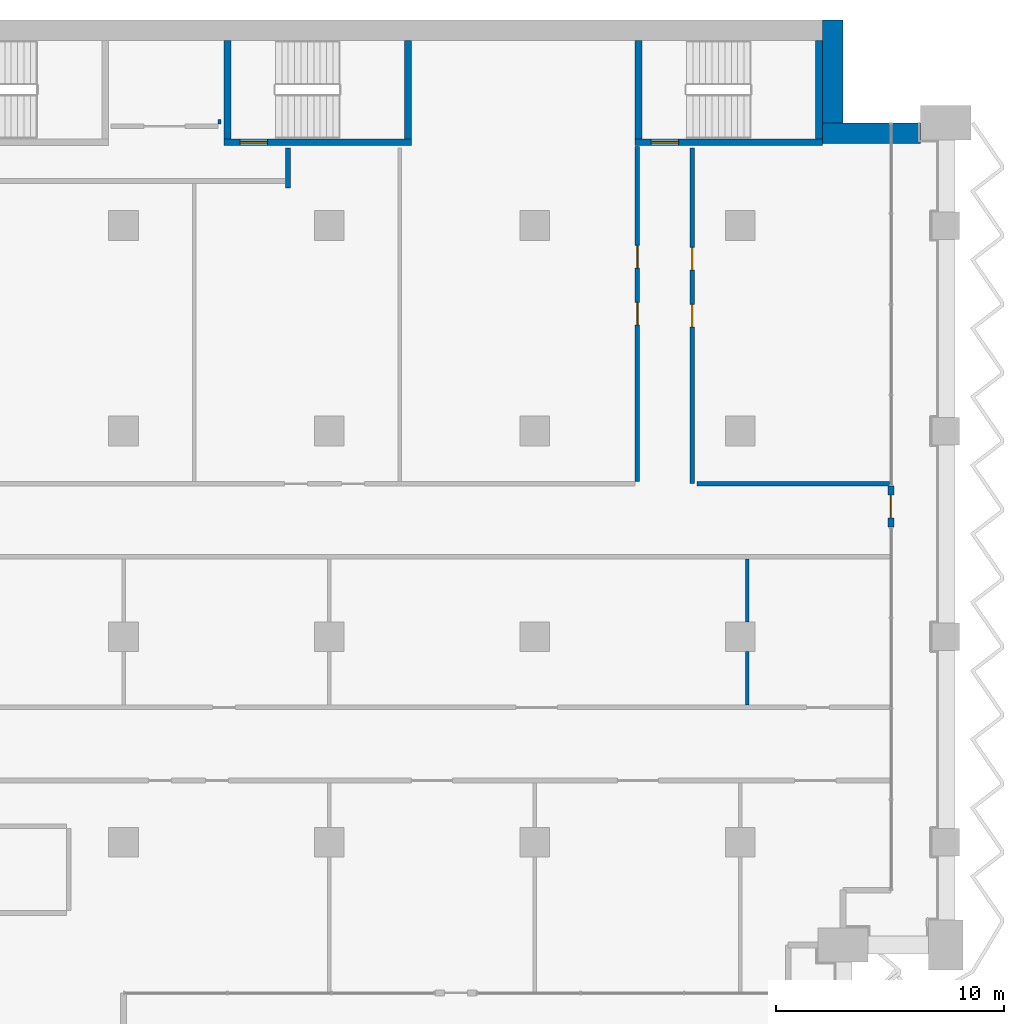
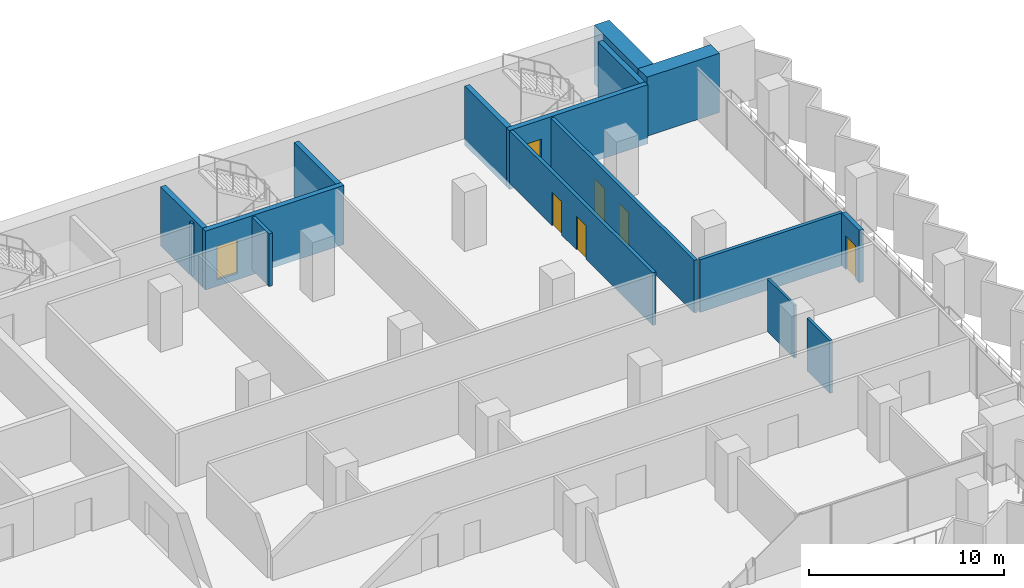
# One storey, part 15 of 23: 16 walls, 7 doors, 7 openings.
"""IFC4 building model written with IfcOpenShell, lengths in metres."""

from ifc_helpers import new_model, si_unit, direction, frame, frame_2d, origin, place, context, subcontext, project, spatial, rectangle, extrude, material, layer, layer_set, type_object, element, fill, save


model = new_model("IFC4")

# Units and contexts
model_context = context("Model", 3, precision=1e-05, world=origin(), true_north=direction((0.0, 1.0)))
body_context = subcontext(model_context, "Body", "Model", "MODEL_VIEW")
ifc_project = project(units=[si_unit("LENGTHUNIT", "METRE"), si_unit("AREAUNIT", "SQUARE_METRE"), si_unit("VOLUMEUNIT", "CUBIC_METRE"), si_unit("PLANEANGLEUNIT", "RADIAN"), si_unit("MASSUNIT", "GRAM", prefix="KILO")], contexts=[model_context])

# Site, building, storey
site_placement = place(None, origin())
site = spatial("IfcSite", under=ifc_project, at=site_placement, CompositionType="ELEMENT")
building_placement = place(site_placement, origin())
building = spatial("IfcBuilding", under=site, at=building_placement, Name="Hunhe Ridgeline Campus", CompositionType="ELEMENT")
storey_placement = place(building_placement, frame((0.0, 0.0, 95.89990234375)))
storey = spatial("IfcBuildingStorey", under=building, at=storey_placement, Name="L23", CompositionType="ELEMENT", Elevation=95.89990234375)

# Walls
ifc_material_1 = material(Name="Gypsum board partition")
ifc_layer_1 = layer(ifc_material_1, 0.199951171875)
ifc_layer_set_1 = layer_set([ifc_layer_1], Name="Corridor partition 200 gypsum board on steel studs")
wall_type_1 = type_object("IfcWallType", Name="Corridor partition 200 gypsum board on steel studs", PredefinedType="PARTITIONING", material=ifc_layer_set_1)
wall_1_placement = place(storey_placement, frame((70.09912109375, 78.699951171875, 0.0), z_axis=(0.0, 0.0, 1.0), x_axis=(1.0, 0.0, 0.0)))
element("IfcWall", 1, at=wall_1_placement, inside=storey, type_object=wall_type_1, Name="F-L23-wall-037", PredefinedType="PARTITIONING", context=body_context, shape_type="SweptSolid", body=[
    extrude(rectangle(XDim=8.44580078125, YDim=0.199951171875, at=frame_2d((4.222900390625, 0.0))), origin(), (0.0, 0.0, 1.0), 3.300048828125),
])
wall_2_placement = place(storey_placement, frame((52.199951171875, 93.39599609375, 0.0), z_axis=(0.0, 0.0, 1.0), x_axis=(0.0, -1.0, 0.0)))
element("IfcWall", 2, at=wall_2_placement, inside=storey, type_object=wall_type_1, Name="F-L23-wall-060", PredefinedType="PARTITIONING", context=body_context, shape_type="SweptSolid", body=[
    extrude(rectangle(XDim=1.74609375, YDim=0.199951171875, at=frame_2d((0.873046875, 0.0))), origin(), (0.0, 0.0, 1.0), 3.300048828125),
])

# Wall, openings, doors
wall_3_placement = place(storey_placement, frame((67.5, 78.800048828125, 0.0), z_axis=(0.0, 0.0, 1.0), x_axis=(0.0, 1.0, 0.0)))
wall_3 = element("IfcWall", 3, at=wall_3_placement, inside=storey, type_object=wall_type_1, Name="F-L23-wall-068", PredefinedType="PARTITIONING", context=body_context, shape_type="SweptSolid", body=[
    extrude(rectangle(XDim=14.669921875, YDim=0.199951171875, at=frame_2d((7.3349609375, 0.0))), origin(), (0.0, 0.0, 1.0), 3.300048828125),
])
opening_1_placement = place(wall_3_placement, frame((6.8349609375, 0.0, 0.0)))
opening_1 = element("IfcOpeningElement", 4, at=opening_1_placement, cuts=wall_3, Name="Opening RD1-033", PredefinedType="OPENING", context=body_context, shape_type="SweptSolid", body=[
    extrude(rectangle(XDim=1.0, YDim=2.10009765625, at=frame_2d((0.5, 1.050048828125))), frame((0.0, 0.10009765625, 0.0), z_axis=(0.0, -1.0, 0.0), x_axis=(1.0, 0.0, 0.0)), (0.0, 0.0, 1.0), 0.199951171875),
])
opening_2_placement = place(wall_3_placement, frame((9.3349609375, 0.0, 0.0)))
opening_2 = element("IfcOpeningElement", 5, at=opening_2_placement, cuts=wall_3, Name="Opening RD1-036", PredefinedType="OPENING", context=body_context, shape_type="SweptSolid", body=[
    extrude(rectangle(XDim=1.0, YDim=2.10009765625, at=frame_2d((0.5, 1.050048828125))), frame((0.0, 0.10009765625, 0.0), z_axis=(0.0, -1.0, 0.0), x_axis=(1.0, 0.0, 0.0)), (0.0, 0.0, 1.0), 0.199951171875),
])
ifc_material_2 = material(Name="Timber door leaf", Category="wood")
door_type_1 = type_object("IfcDoorType", Name="Single fire door 1000x2100 timber FD60", OperationType="NOTDEFINED", PredefinedType="DOOR", material=ifc_material_2)
door_1_placement = place(opening_1_placement, frame((1.0, 0.0, 0.0), z_axis=(0.0, 0.0, 1.0), x_axis=(-1.0, 0.0, 0.0)))
door_1 = element("IfcDoor", 6, at=door_1_placement, inside=storey, type_object=door_type_1, Name="F-L23-door-033", OperationType="SINGLE_SWING_RIGHT", OverallHeight=2.10009765625, OverallWidth=1.0, PredefinedType="DOOR", context=body_context, shape_type="SweptSolid", body=[
    extrude(rectangle(XDim=1.0, YDim=2.10009765625, at=frame_2d((0.5, 1.050048828125))), frame((0.0, 0.02490234375, 0.0), z_axis=(0.0, -1.0, 0.0), x_axis=(1.0, 0.0, 0.0)), (0.0, 0.0, 1.0), 0.050048828125),
])
fill(opening_1, door_1)
door_2_placement = place(opening_2_placement, frame((1.0, 0.0, 0.0), z_axis=(0.0, 0.0, 1.0), x_axis=(-1.0, 0.0, 0.0)))
door_2 = element("IfcDoor", 7, at=door_2_placement, inside=storey, type_object=door_type_1, Name="F-L23-door-036", OperationType="SINGLE_SWING_LEFT", OverallHeight=2.10009765625, OverallWidth=1.0, PredefinedType="DOOR", context=body_context, shape_type="SweptSolid", body=[
    extrude(rectangle(XDim=1.0, YDim=2.10009765625, at=frame_2d((0.5, 1.050048828125))), frame((0.0, 0.02490234375, 0.0), z_axis=(0.0, -1.0, 0.0), x_axis=(1.0, 0.0, 0.0)), (0.0, 0.0, 1.0), 0.050048828125),
])
fill(opening_2, door_2)

wall_4_placement = place(storey_placement, frame((69.89990234375, 93.39599609375, 0.0), z_axis=(0.0, 0.0, 1.0), x_axis=(0.0, -1.0, 0.0)))
wall_4 = element("IfcWall", 8, at=wall_4_placement, inside=storey, type_object=wall_type_1, Name="F-L23-wall-069", PredefinedType="PARTITIONING", context=body_context, shape_type="SweptSolid", body=[
    extrude(rectangle(XDim=14.696044921875, YDim=0.199951171875, at=frame_2d((7.34814453125, 0.0))), origin(), (0.0, 0.0, 1.0), 3.300048828125),
])
opening_3_placement = place(wall_4_placement, frame((6.847900390625, 0.0, 0.0)))
opening_3 = element("IfcOpeningElement", 9, at=opening_3_placement, cuts=wall_4, Name="Opening RD1-032", PredefinedType="OPENING", context=body_context, shape_type="SweptSolid", body=[
    extrude(rectangle(XDim=1.0, YDim=2.10009765625, at=frame_2d((0.5, 1.050048828125))), frame((0.0, 0.10009765625, 0.0), z_axis=(0.0, -1.0, 0.0), x_axis=(1.0, 0.0, 0.0)), (0.0, 0.0, 1.0), 0.199951171875),
])
opening_4_placement = place(wall_4_placement, frame((4.347900390625, 0.0, 0.0)))
opening_4 = element("IfcOpeningElement", 10, at=opening_4_placement, cuts=wall_4, Name="Opening RD1-035", PredefinedType="OPENING", context=body_context, shape_type="SweptSolid", body=[
    extrude(rectangle(XDim=1.0, YDim=2.10009765625, at=frame_2d((0.5, 1.050048828125))), frame((0.0, 0.10009765625, 0.0), z_axis=(0.0, -1.0, 0.0), x_axis=(1.0, 0.0, 0.0)), (0.0, 0.0, 1.0), 0.199951171875),
])
door_3_placement = place(opening_3_placement, frame((1.0, 0.0, 0.0), z_axis=(0.0, 0.0, 1.0), x_axis=(-1.0, 0.0, 0.0)))
door_3 = element("IfcDoor", 11, at=door_3_placement, inside=storey, type_object=door_type_1, Name="F-L23-door-032", OperationType="SINGLE_SWING_RIGHT", OverallHeight=2.10009765625, OverallWidth=1.0, PredefinedType="DOOR", context=body_context, shape_type="SweptSolid", body=[
    extrude(rectangle(XDim=1.0, YDim=2.10009765625, at=frame_2d((0.5, 1.050048828125))), frame((0.0, 0.02490234375, 0.0), z_axis=(0.0, -1.0, 0.0), x_axis=(1.0, 0.0, 0.0)), (0.0, 0.0, 1.0), 0.050048828125),
])
fill(opening_3, door_3)
door_4_placement = place(opening_4_placement, frame((1.0, 0.0, 0.0), z_axis=(0.0, 0.0, 1.0), x_axis=(-1.0, 0.0, 0.0)))
door_4 = element("IfcDoor", 12, at=door_4_placement, inside=storey, type_object=door_type_1, Name="F-L23-door-035", OperationType="SINGLE_SWING_RIGHT", OverallHeight=2.10009765625, OverallWidth=1.0, PredefinedType="DOOR", context=body_context, shape_type="SweptSolid", body=[
    extrude(rectangle(XDim=1.0, YDim=2.10009765625, at=frame_2d((0.5, 1.050048828125))), frame((0.0, 0.02490234375, 0.0), z_axis=(0.0, -1.0, 0.0), x_axis=(1.0, 0.0, 0.0)), (0.0, 0.0, 1.0), 0.050048828125),
])
fill(opening_4, door_4)

# Wall, opening, door
ifc_material_3 = material(Name="Concrete C30", Category="concrete")
ifc_layer_2 = layer(ifc_material_3, 0.25)
ifc_layer_set_2 = layer_set([ifc_layer_2], Name="Loggia door pier wall 250 Concrete C30")
wall_type_2 = type_object("IfcWallType", Name="Loggia door pier wall 250 Concrete C30", PredefinedType="SOLIDWALL", material=ifc_layer_set_2)
wall_5_placement = place(storey_placement, frame((78.59912109375, 76.800537109375, 0.0), z_axis=(0.0, 0.0, 1.0), x_axis=(0.0, 1.0, 0.0)))
wall_5 = element("IfcWall", 13, at=wall_5_placement, inside=storey, type_object=wall_type_2, Name="Loggia door pier 4", PredefinedType="SOLIDWALL", context=body_context, shape_type="SweptSolid", body=[
    extrude(rectangle(XDim=1.800048828125, YDim=0.25, at=frame_2d((0.89990234375, 0.0))), origin(), (0.0, 0.0, 1.0), 3.300048828125),
])
opening_5_placement = place(wall_5_placement, frame((0.39990234375, 0.0, 0.0)))
opening_5 = element("IfcOpeningElement", 14, at=opening_5_placement, cuts=wall_5, Name="Opening BD207", PredefinedType="OPENING", context=body_context, shape_type="SweptSolid", body=[
    extrude(rectangle(XDim=1.0, YDim=2.10009765625, at=frame_2d((0.5, 1.050048828125))), frame((0.0, 0.125, 0.0), z_axis=(0.0, -1.0, 0.0), x_axis=(1.0, 0.0, 0.0)), (0.0, 0.0, 1.0), 0.25),
])
ifc_material_4 = material(Name="Aluminium 6063", Category="aluminium")
door_type_2 = type_object("IfcDoorType", Name="Loggia glazed door 1000x2100", OperationType="NOTDEFINED", PredefinedType="DOOR", material=ifc_material_4)
door_5_placement = place(opening_5_placement, frame((1.0, 0.0, 0.0), z_axis=(0.0, 0.0, 1.0), x_axis=(-1.0, 0.0, 0.0)))
door_5 = element("IfcDoor", 15, at=door_5_placement, inside=storey, type_object=door_type_2, Name="Loggia door BD207", OperationType="SINGLE_SWING_RIGHT", OverallHeight=2.10009765625, OverallWidth=1.0, PredefinedType="DOOR", context=body_context, shape_type="SweptSolid", body=[
    extrude(rectangle(XDim=1.0, YDim=2.10009765625, at=frame_2d((0.5, 1.050048828125))), frame((0.0, 0.02490234375, 0.0), z_axis=(0.0, -1.0, 0.0), x_axis=(1.0, 0.0, 0.0)), (0.0, 0.0, 1.0), 0.050048828125),
])
fill(opening_5, door_5)

# Walls
ifc_layer_3 = layer(ifc_material_1, 0.14990234375)
ifc_layer_set_3 = layer_set([ifc_layer_3], Name="Room partition 150 gypsum board on steel studs")
wall_type_3 = type_object("IfcWallType", Name="Room partition 150 gypsum board on steel studs", PredefinedType="PARTITIONING", material=ifc_layer_set_3)
wall_6_placement = place(storey_placement, frame((49.199951171875, 94.64990234375, 0.0), z_axis=(0.0, 0.0, 1.0), x_axis=(0.0, -1.0, 0.0)))
element("IfcWall", 16, at=wall_6_placement, inside=storey, type_object=wall_type_3, Name="F-L23-wall-059", PredefinedType="PARTITIONING", context=body_context, shape_type="SweptSolid", body=[
    extrude(rectangle(XDim=0.199951171875, YDim=0.14990234375, at=frame_2d((0.10009765625, 0.0))), origin(), (0.0, 0.0, 1.0), 3.300048828125),
])
wall_7_placement = place(storey_placement, frame((72.300048828125, 71.35009765625, 0.0), z_axis=(0.0, 0.0, 1.0), x_axis=(0.0, -1.0, 0.0)))
element("IfcWall", 17, at=wall_7_placement, inside=storey, type_object=wall_type_3, Name="F-L23-wall-072", PredefinedType="PARTITIONING", context=body_context, shape_type="SweptSolid", body=[
    extrude(rectangle(XDim=2.35009765625, YDim=0.14990234375, at=frame_2d((1.175048828125, 0.0))), origin(), (0.0, 0.0, 1.0), 3.300048828125),
])
wall_8_placement = place(storey_placement, frame((72.300048828125, 75.39990234375, 0.0), z_axis=(0.0, 0.0, 1.0), x_axis=(0.0, -1.0, 0.0)))
element("IfcWall", 18, at=wall_8_placement, inside=storey, type_object=wall_type_3, Name="F-L23-wall-073", PredefinedType="PARTITIONING", context=body_context, shape_type="SweptSolid", body=[
    extrude(rectangle(XDim=2.75, YDim=0.14990234375, at=frame_2d((1.375, 0.0))), origin(), (0.0, 0.0, 1.0), 3.300048828125),
])
ifc_material_5 = material(Name="Concrete C70", Category="concrete")
ifc_layer_4 = layer(ifc_material_5, 0.89990234375)
ifc_layer_set_4 = layer_set([ifc_layer_4], Name="Spine wall 900 Concrete C70")
wall_type_4 = type_object("IfcWallType", Name="Spine wall 900 Concrete C70", PredefinedType="SHEAR", material=ifc_layer_set_4)
wall_9_placement = place(storey_placement, frame((79.89990234375, 94.050048828125, 0.0), z_axis=(0.0, 0.0, 1.0), x_axis=(-1.0, 0.0, 0.0)))
element("IfcWall", 19, at=wall_9_placement, inside=storey, type_object=wall_type_4, Name="Spine wall SW2-2 L23", PredefinedType="SHEAR", context=body_context, shape_type="SweptSolid", body=[
    extrude(rectangle(XDim=4.30029296875, YDim=0.89990234375, at=frame_2d((2.150146484375, 0.0))), origin(), (0.0, 0.0, 1.0), 3.7001953125),
])
wall_10_placement = place(storey_placement, frame((76.050048828125, 93.60009765625, 0.0), z_axis=(0.0, 0.0, 1.0), x_axis=(0.0, 1.0, 0.0)))
element("IfcWall", 20, at=wall_10_placement, inside=storey, type_object=wall_type_4, Name="Spine wall SW2-3 L23", PredefinedType="SHEAR", context=body_context, shape_type="SweptSolid", body=[
    extrude(rectangle(XDim=5.39990234375, YDim=0.89990234375, at=frame_2d((2.699951171875, 0.0))), origin(), (0.0, 0.0, 1.0), 3.7001953125),
])

# Wall, opening, door
ifc_material_6 = material(Name="Concrete C80", Category="concrete")
ifc_layer_5 = layer(ifc_material_6, 0.300048828125)
ifc_layer_set_5 = layer_set([ifc_layer_5], Name="Stair wall 300 reinforced concrete C80")
wall_type_5 = type_object("IfcWallType", Name="Stair wall 300 reinforced concrete C80", PredefinedType="SOLIDWALL", material=ifc_layer_set_5)
wall_11_placement = place(storey_placement, frame((49.39990234375, 93.64990234375, -0.39990234375), z_axis=(0.0, 0.0, 1.0), x_axis=(1.0, 0.0, 0.0)))
wall_11 = element("IfcWall", 21, at=wall_11_placement, inside=storey, type_object=wall_type_5, Name="L23 core wall 29", PredefinedType="SOLIDWALL", context=body_context, shape_type="SweptSolid", body=[
    extrude(rectangle(XDim=8.2001953125, YDim=0.300048828125, at=frame_2d((4.10009765625, 0.0))), origin(), (0.0, 0.0, 1.0), 3.699951171875),
])
opening_6_placement = place(wall_11_placement, frame((0.699951171875, 0.0, 0.39990234375)))
opening_6 = element("IfcOpeningElement", 22, at=opening_6_placement, cuts=wall_11, Name="Opening CD18", PredefinedType="OPENING", context=body_context, shape_type="SweptSolid", body=[
    extrude(rectangle(XDim=1.199951171875, YDim=2.10009765625, at=frame_2d((0.60009765625, 1.050048828125))), frame((0.0, 0.14990234375, 0.0), z_axis=(0.0, -1.0, 0.0), x_axis=(1.0, 0.0, 0.0)), (0.0, 0.0, 1.0), 0.300048828125),
])
ifc_material_7 = material(Name="Hollow metal fire door leaf")
door_type_3 = type_object("IfcDoorType", Name="Stair door 1200x2100 FD60", OperationType="SINGLE_SWING_LEFT", PredefinedType="DOOR", material=ifc_material_7)
door_6_placement = place(opening_6_placement, frame((1.199951171875, 0.0, 0.0), z_axis=(0.0, 0.0, 1.0), x_axis=(-1.0, 0.0, 0.0)))
door_6 = element("IfcDoor", 23, at=door_6_placement, inside=storey, type_object=door_type_3, Name="L23 door E2", OperationType="SINGLE_SWING_LEFT", OverallHeight=2.10009765625, OverallWidth=1.199951171875, PredefinedType="DOOR", context=body_context, shape_type="SweptSolid", body=[
    extrude(rectangle(XDim=1.199951171875, YDim=2.10009765625, at=frame_2d((0.60009765625, 1.050048828125))), frame((0.0, 0.02490234375, 0.0), z_axis=(0.0, -1.0, 0.0), x_axis=(1.0, 0.0, 0.0)), (0.0, 0.0, 1.0), 0.050048828125),
])
fill(opening_6, door_6)

wall_12_placement = place(storey_placement, frame((67.39990234375, 93.64990234375, -0.39990234375), z_axis=(0.0, 0.0, 1.0), x_axis=(1.0, 0.0, 0.0)))
wall_12 = element("IfcWall", 24, at=wall_12_placement, inside=storey, type_object=wall_type_5, Name="L23 core wall 30", PredefinedType="SOLIDWALL", context=body_context, shape_type="SweptSolid", body=[
    extrude(rectangle(XDim=8.2001953125, YDim=0.300048828125, at=frame_2d((4.10009765625, 0.0))), origin(), (0.0, 0.0, 1.0), 3.699951171875),
])
opening_7_placement = place(wall_12_placement, frame((0.699951171875, 0.0, 0.39990234375)))
opening_7 = element("IfcOpeningElement", 25, at=opening_7_placement, cuts=wall_12, Name="Opening CD19", PredefinedType="OPENING", context=body_context, shape_type="SweptSolid", body=[
    extrude(rectangle(XDim=1.199951171875, YDim=2.10009765625, at=frame_2d((0.60009765625, 1.050048828125))), frame((0.0, 0.14990234375, 0.0), z_axis=(0.0, -1.0, 0.0), x_axis=(1.0, 0.0, 0.0)), (0.0, 0.0, 1.0), 0.300048828125),
])
door_7_placement = place(opening_7_placement, frame((1.199951171875, 0.0, 0.0), z_axis=(0.0, 0.0, 1.0), x_axis=(-1.0, 0.0, 0.0)))
door_7 = element("IfcDoor", 26, at=door_7_placement, inside=storey, type_object=door_type_3, Name="L23 door E3", OperationType="SINGLE_SWING_RIGHT", OverallHeight=2.10009765625, OverallWidth=1.199951171875, PredefinedType="DOOR", context=body_context, shape_type="SweptSolid", body=[
    extrude(rectangle(XDim=1.199951171875, YDim=2.10009765625, at=frame_2d((0.60009765625, 1.050048828125))), frame((0.0, 0.02490234375, 0.0), z_axis=(0.0, -1.0, 0.0), x_axis=(1.0, 0.0, 0.0)), (0.0, 0.0, 1.0), 0.050048828125),
])
fill(opening_7, door_7)

# Walls
for number, where, z_axis, x_axis, name in (
    (27, (49.550048828125, 93.800048828125, -0.39990234375), (0.0, 0.0, 1.0), (0.0, 1.0, 0.0), "L23 core wall 64"),
    (28, (57.449951171875, 93.800048828125, -0.39990234375), (0.0, 0.0, 1.0), (0.0, 1.0, 0.0), "L23 core wall 65"),
    (29, (67.550048828125, 93.800048828125, -0.39990234375), (0.0, 0.0, 1.0), (0.0, 1.0, 0.0), "L23 core wall 66"),
    (30, (75.449951171875, 93.800048828125, -0.39990234375), (0.0, 0.0, 1.0), (0.0, 1.0, 0.0), "L23 core wall 67"),
):
    element("IfcWall", number, at=place(storey_placement, frame(where, z_axis=z_axis, x_axis=x_axis)), inside=storey, type_object=wall_type_5, Name=name, PredefinedType="SOLIDWALL", context=body_context, shape_type="SweptSolid", body=[
        extrude(rectangle(XDim=4.300048828125, YDim=0.300048828125, at=frame_2d((2.14990234375, 0.0))), origin(), (0.0, 0.0, 1.0), 3.699951171875),
    ])

save(model, "model.ifc")
